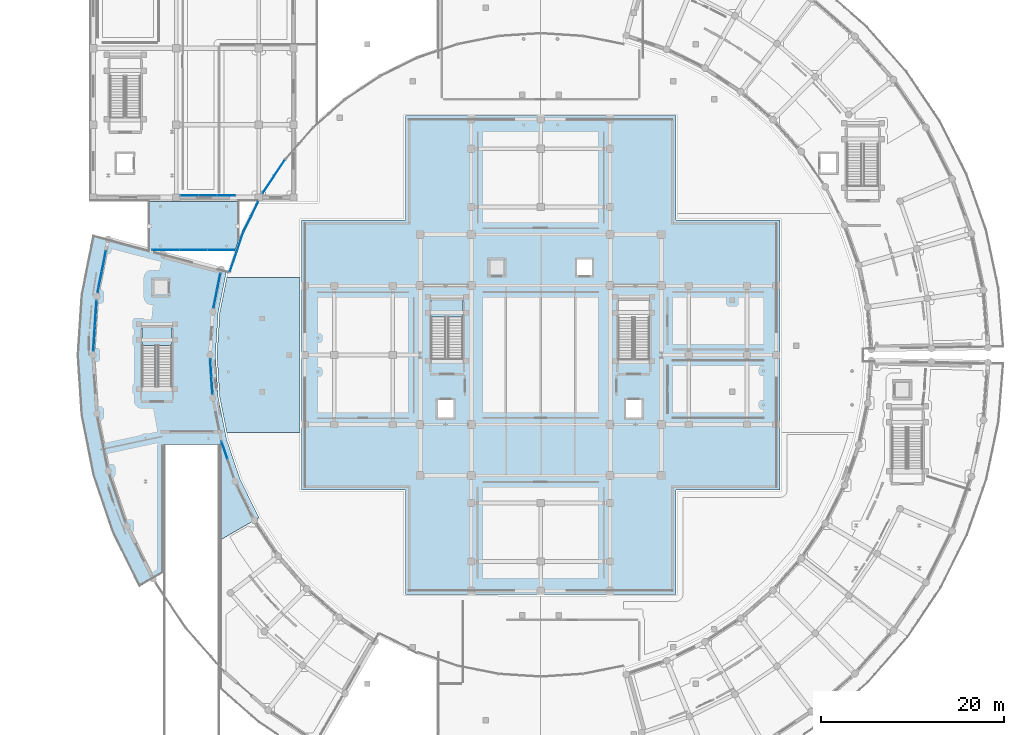
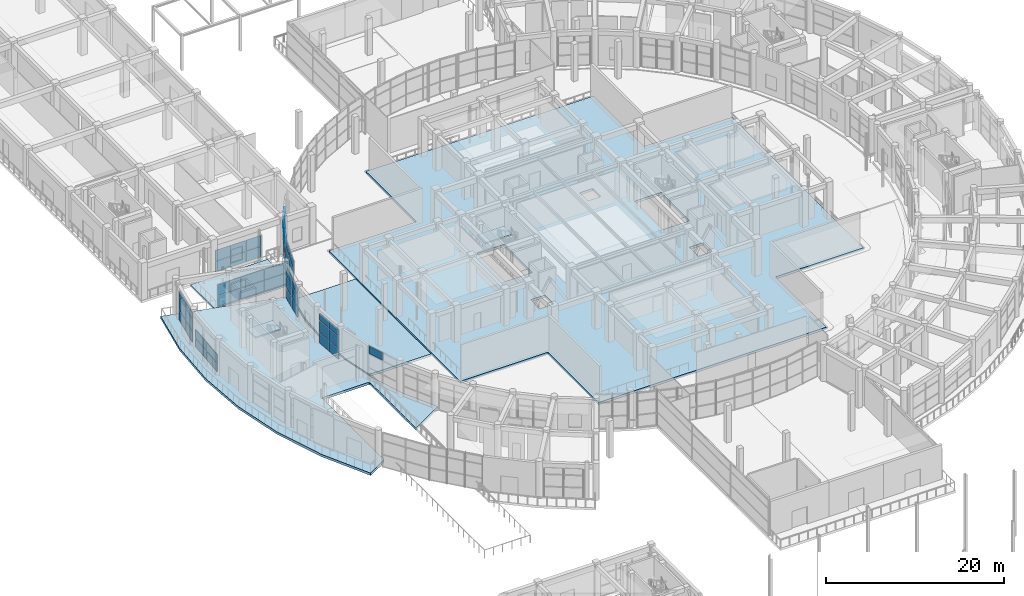
# One storey, part 58 of 99: 51 plates, 6 slabs, 12 elements without a shape of their own.
"""IFC4 building model written with IfcOpenShell, lengths in metres."""

from ifc_helpers import new_model, si_unit, direction, frame, origin, origin_2d, place, context, subcontext, project, spatial, polyline, rectangle, outline, extrude, material, layer, layer_set, type_object, element, aggregate, save


model = new_model("IFC4")

# Units and contexts
model_context = context("Model", 3, precision=1e-05, world=origin(), true_north=direction((0.0, 1.0)))
body_context = subcontext(model_context, "Body", "Model", "MODEL_VIEW")
ifc_project = project(units=[si_unit("LENGTHUNIT", "METRE"), si_unit("AREAUNIT", "SQUARE_METRE"), si_unit("VOLUMEUNIT", "CUBIC_METRE"), si_unit("PLANEANGLEUNIT", "RADIAN"), si_unit("MASSUNIT", "GRAM", prefix="KILO")], contexts=[model_context])

# Site, building, storey
site_placement = place(None, origin())
site = spatial("IfcSite", under=ifc_project, at=site_placement, CompositionType="ELEMENT")
building_placement = place(site_placement, origin())
building = spatial("IfcBuilding", under=site, at=building_placement, Name="Saryqyr Civic Hall", CompositionType="ELEMENT")
storey_placement = place(building_placement, origin())
storey = spatial("IfcBuildingStorey", under=building, at=storey_placement, Name="L00", CompositionType="ELEMENT", Elevation=0.0)

# Curtain wall, plates
ifc_material_1 = material(Name="Anodised aluminium and triple low-E glass", Category="aluminium")
curtain_wall_type_1 = type_object("IfcCurtainWallType", Name="ENV-CW-STD-01", PredefinedType="NOTDEFINED", material=ifc_material_1)
curtain_wall_1_placement = place(storey_placement, origin())
curtain_wall_1 = element("IfcCurtainWall", 1, at=curtain_wall_1_placement, inside=storey, type_object=curtain_wall_type_1, Name="Curtain wall V4-CWO-L00-00", PredefinedType="NOTDEFINED")
ifc_material_2 = material(Name="Triple low-E insulated glazing", Category="glass")
ifc_layer_1 = layer(ifc_material_2, 0.053955078125, Name="Triple low-E insulated glazing")
ifc_layer_set_1 = layer_set([ifc_layer_1], Name="Triple low-E insulated glazing")
plate_type = type_object("IfcPlateType", Name="ENV-CW-PNL-38", PredefinedType="CURTAIN_PANEL", material=ifc_layer_set_1)
plate_1_placement = place(storey_placement, frame((8.73388671875, 91.978515625, 0.06005859375), z_axis=(0.0, 0.0, 1.0), x_axis=(0.19510187671, 0.980782981961, 0.0)))
plate_1 = element("IfcPlate", 2, at=plate_1_placement, type_object=plate_type, Name="CW-01 panel 1.1", PredefinedType="CURTAIN_PANEL", context=body_context, shape_type="SweptSolid", body=[
    extrude(rectangle(XDim=2.26123046875, YDim=0.053955078125, at=origin_2d()), origin(), (0.0, 0.0, 1.0), 1.419921875),
])
plate_2_placement = place(storey_placement, frame((8.73388671875, 91.978515625, 1.5400390625), z_axis=(0.0, 0.0, 1.0), x_axis=(0.19510187671, 0.980782981961, 0.0)))
plate_2 = element("IfcPlate", 3, at=plate_2_placement, type_object=plate_type, Name="CW-01 panel 1.2", PredefinedType="CURTAIN_PANEL", context=body_context, shape_type="SweptSolid", body=[
    extrude(rectangle(XDim=2.26123046875, YDim=0.053955078125, at=origin_2d()), origin(), (0.0, 0.0, 1.0), 1.617919921875),
])
plate_3_placement = place(storey_placement, frame((8.73388671875, 91.978515625, 3.218017578125), z_axis=(0.0, 0.0, 1.0), x_axis=(0.19510187671, 0.980782981961, 0.0)))
plate_3 = element("IfcPlate", 4, at=plate_3_placement, type_object=plate_type, Name="CW-01 panel 1.3", PredefinedType="CURTAIN_PANEL", context=body_context, shape_type="SweptSolid", body=[
    extrude(rectangle(XDim=2.26123046875, YDim=0.053955078125, at=origin_2d()), origin(), (0.0, 0.0, 1.0), 0.9169921875),
])
plate_4_placement = place(storey_placement, frame((9.18701171875, 94.25537109375, 0.06005859375), z_axis=(0.0, 0.0, 1.0), x_axis=(0.19510187671, 0.980782981961, 0.0)))
plate_4 = element("IfcPlate", 5, at=plate_4_placement, type_object=plate_type, Name="CW-01 panel 2.1", PredefinedType="CURTAIN_PANEL", context=body_context, shape_type="SweptSolid", body=[
    extrude(rectangle(XDim=2.26123046875, YDim=0.053955078125, at=origin_2d()), origin(), (0.0, 0.0, 1.0), 1.419921875),
])
plate_5_placement = place(storey_placement, frame((9.18701171875, 94.25537109375, 1.5400390625), z_axis=(0.0, 0.0, 1.0), x_axis=(0.19510187671, 0.980782981961, 0.0)))
plate_5 = element("IfcPlate", 6, at=plate_5_placement, type_object=plate_type, Name="CW-01 panel 2.2", PredefinedType="CURTAIN_PANEL", context=body_context, shape_type="SweptSolid", body=[
    extrude(rectangle(XDim=2.26123046875, YDim=0.053955078125, at=origin_2d()), origin(), (0.0, 0.0, 1.0), 1.617919921875),
])
plate_6_placement = place(storey_placement, frame((9.18701171875, 94.25537109375, 3.218017578125), z_axis=(0.0, 0.0, 1.0), x_axis=(0.19510187671, 0.980782981961, 0.0)))
plate_6 = element("IfcPlate", 7, at=plate_6_placement, type_object=plate_type, Name="CW-01 panel 2.3", PredefinedType="CURTAIN_PANEL", context=body_context, shape_type="SweptSolid", body=[
    extrude(rectangle(XDim=2.26123046875, YDim=0.053955078125, at=origin_2d()), origin(), (0.0, 0.0, 1.0), 0.9169921875),
])
aggregate(curtain_wall_1, [plate_1, plate_2, plate_3, plate_4, plate_5, plate_6])

curtain_wall_type_2 = type_object("IfcCurtainWallType", Name="ENV-CW-STD-02", PredefinedType="NOTDEFINED", material=ifc_material_1)
curtain_wall_2_placement = place(storey_placement, origin())
curtain_wall_2 = element("IfcCurtainWall", 8, at=curtain_wall_2_placement, inside=storey, type_object=curtain_wall_type_2, Name="Curtain wall V4-CWI-L00-00", PredefinedType="NOTDEFINED")
plate_7_placement = place(storey_placement, frame((21.75830078125, 91.98583984375, 0.06005859375), z_axis=(0.0, 0.0, 1.0), x_axis=(-0.19511714689, -0.980779944223, 0.0)))
plate_7 = element("IfcPlate", 9, at=plate_7_placement, type_object=plate_type, Name="CW-02 panel 1.1", PredefinedType="CURTAIN_PANEL", context=body_context, shape_type="SweptSolid", body=[
    extrude(rectangle(XDim=1.8544921875, YDim=0.053955078125, at=origin_2d()), origin(), (0.0, 0.0, 1.0), 1.419921875),
])
plate_8_placement = place(storey_placement, frame((21.75830078125, 91.98583984375, 1.5400390625), z_axis=(0.0, 0.0, 1.0), x_axis=(-0.19511714689, -0.980779944223, 0.0)))
plate_8 = element("IfcPlate", 10, at=plate_8_placement, type_object=plate_type, Name="CW-02 panel 1.2", PredefinedType="CURTAIN_PANEL", context=body_context, shape_type="SweptSolid", body=[
    extrude(rectangle(XDim=1.8544921875, YDim=0.053955078125, at=origin_2d()), origin(), (0.0, 0.0, 1.0), 1.617919921875),
])
plate_9_placement = place(storey_placement, frame((21.75830078125, 91.98583984375, 3.218017578125), z_axis=(0.0, 0.0, 1.0), x_axis=(-0.19511714689, -0.980779944223, 0.0)))
plate_9 = element("IfcPlate", 11, at=plate_9_placement, type_object=plate_type, Name="CW-02 panel 1.3", PredefinedType="CURTAIN_PANEL", context=body_context, shape_type="SweptSolid", body=[
    extrude(rectangle(XDim=1.8544921875, YDim=0.053955078125, at=origin_2d()), origin(), (0.0, 0.0, 1.0), 0.9169921875),
])
plate_10_placement = place(storey_placement, frame((21.384765625, 90.108154296875, 0.06005859375), z_axis=(0.0, 0.0, 1.0), x_axis=(-0.19511714689, -0.980779944223, 0.0)))
plate_10 = element("IfcPlate", 12, at=plate_10_placement, type_object=plate_type, Name="CW-02 panel 2.1", PredefinedType="CURTAIN_PANEL", context=body_context, shape_type="SweptSolid", body=[
    extrude(rectangle(XDim=1.8544921875, YDim=0.053955078125, at=origin_2d()), origin(), (0.0, 0.0, 1.0), 1.419921875),
])
plate_11_placement = place(storey_placement, frame((21.384765625, 90.108154296875, 1.5400390625), z_axis=(0.0, 0.0, 1.0), x_axis=(-0.19511714689, -0.980779944223, 0.0)))
plate_11 = element("IfcPlate", 13, at=plate_11_placement, type_object=plate_type, Name="CW-02 panel 2.2", PredefinedType="CURTAIN_PANEL", context=body_context, shape_type="SweptSolid", body=[
    extrude(rectangle(XDim=1.8544921875, YDim=0.053955078125, at=origin_2d()), origin(), (0.0, 0.0, 1.0), 1.617919921875),
])
plate_12_placement = place(storey_placement, frame((21.384765625, 90.108154296875, 3.218017578125), z_axis=(0.0, 0.0, 1.0), x_axis=(-0.19511714689, -0.980779944223, 0.0)))
plate_12 = element("IfcPlate", 14, at=plate_12_placement, type_object=plate_type, Name="CW-02 panel 2.3", PredefinedType="CURTAIN_PANEL", context=body_context, shape_type="SweptSolid", body=[
    extrude(rectangle(XDim=1.8544921875, YDim=0.053955078125, at=origin_2d()), origin(), (0.0, 0.0, 1.0), 0.9169921875),
])
aggregate(curtain_wall_2, [plate_7, plate_8, plate_9, plate_10, plate_11, plate_12])

curtain_wall_type_3 = type_object("IfcCurtainWallType", Name="ENV-CW-STD-03", PredefinedType="NOTDEFINED", material=ifc_material_1)
curtain_wall_3_placement = place(storey_placement, origin())
curtain_wall_3 = element("IfcCurtainWall", 15, at=curtain_wall_3_placement, inside=storey, type_object=curtain_wall_type_3, Name="Curtain wall V4-CWO-L00-01", PredefinedType="NOTDEFINED")
plate_13_placement = place(storey_placement, frame((8.119384765625, 85.821533203125, 0.06005859375), z_axis=(0.0, 0.0, 1.0), x_axis=(0.065402806948, 0.997858944362, 0.0)))
plate_13 = element("IfcPlate", 16, at=plate_13_placement, type_object=plate_type, Name="CW-03 panel 1.1", PredefinedType="CURTAIN_PANEL", context=body_context, shape_type="SweptSolid", body=[
    extrude(rectangle(XDim=2.698974609375, YDim=0.053955078125, at=origin_2d()), origin(), (0.0, 0.0, 1.0), 1.135009765625),
])
plate_14_placement = place(storey_placement, frame((8.119384765625, 85.821533203125, 1.2548828125), z_axis=(0.0, 0.0, 1.0), x_axis=(0.065402806948, 0.997858944362, 0.0)))
plate_14 = element("IfcPlate", 17, at=plate_14_placement, type_object=plate_type, Name="CW-03 panel 1.2", PredefinedType="CURTAIN_PANEL", context=body_context, shape_type="SweptSolid", body=[
    extrude(rectangle(XDim=2.698974609375, YDim=0.053955078125, at=origin_2d()), origin(), (0.0, 0.0, 1.0), 1.135009765625),
])
plate_15_placement = place(storey_placement, frame((8.2998046875, 88.574462890625, 0.06005859375), z_axis=(0.0, 0.0, 1.0), x_axis=(0.065402806948, 0.997858944362, 0.0)))
plate_15 = element("IfcPlate", 18, at=plate_15_placement, type_object=plate_type, Name="CW-03 panel 2.1", PredefinedType="CURTAIN_PANEL", context=body_context, shape_type="SweptSolid", body=[
    extrude(rectangle(XDim=2.698974609375, YDim=0.053955078125, at=origin_2d()), origin(), (0.0, 0.0, 1.0), 1.135009765625),
])
plate_16_placement = place(storey_placement, frame((8.2998046875, 88.574462890625, 1.2548828125), z_axis=(0.0, 0.0, 1.0), x_axis=(0.065402806948, 0.997858944362, 0.0)))
plate_16 = element("IfcPlate", 19, at=plate_16_placement, type_object=plate_type, Name="CW-03 panel 2.2", PredefinedType="CURTAIN_PANEL", context=body_context, shape_type="SweptSolid", body=[
    extrude(rectangle(XDim=2.698974609375, YDim=0.053955078125, at=origin_2d()), origin(), (0.0, 0.0, 1.0), 1.135009765625),
])
aggregate(curtain_wall_3, [plate_13, plate_14, plate_15, plate_16])

curtain_wall_4_placement = place(storey_placement, origin())
curtain_wall_4 = element("IfcCurtainWall", 20, at=curtain_wall_4_placement, inside=storey, type_object=curtain_wall_type_2, Name="Curtain wall V4-CWI-L00-02", PredefinedType="NOTDEFINED")
plate_17_placement = place(storey_placement, frame((20.89208984375, 82.59619140625, 0.06005859375), z_axis=(0.0, 0.0, 1.0), x_axis=(0.065405224139, -0.997858785929, 0.0)))
plate_17 = element("IfcPlate", 21, at=plate_17_placement, type_object=plate_type, Name="CW-02 panel 1.1", PredefinedType="CURTAIN_PANEL", context=body_context, shape_type="SweptSolid", body=[
    extrude(rectangle(XDim=1.861572265625, YDim=0.053955078125, at=origin_2d()), origin(), (0.0, 0.0, 1.0), 1.419921875),
])
plate_18_placement = place(storey_placement, frame((20.89208984375, 82.59619140625, 1.5400390625), z_axis=(0.0, 0.0, 1.0), x_axis=(0.065405224139, -0.997858785929, 0.0)))
plate_18 = element("IfcPlate", 22, at=plate_18_placement, type_object=plate_type, Name="CW-02 panel 1.2", PredefinedType="CURTAIN_PANEL", context=body_context, shape_type="SweptSolid", body=[
    extrude(rectangle(XDim=1.861572265625, YDim=0.053955078125, at=origin_2d()), origin(), (0.0, 0.0, 1.0), 1.617919921875),
])
plate_19_placement = place(storey_placement, frame((20.89208984375, 82.59619140625, 3.218017578125), z_axis=(0.0, 0.0, 1.0), x_axis=(0.065405224139, -0.997858785929, 0.0)))
plate_19 = element("IfcPlate", 23, at=plate_19_placement, type_object=plate_type, Name="CW-02 panel 1.3", PredefinedType="CURTAIN_PANEL", context=body_context, shape_type="SweptSolid", body=[
    extrude(rectangle(XDim=1.861572265625, YDim=0.053955078125, at=origin_2d()), origin(), (0.0, 0.0, 1.0), 0.9169921875),
])
plate_20_placement = place(storey_placement, frame((21.017578125, 80.6787109375, 0.06005859375), z_axis=(0.0, 0.0, 1.0), x_axis=(0.065405224139, -0.997858785929, 0.0)))
plate_20 = element("IfcPlate", 24, at=plate_20_placement, type_object=plate_type, Name="CW-02 panel 2.1", PredefinedType="CURTAIN_PANEL", context=body_context, shape_type="SweptSolid", body=[
    extrude(rectangle(XDim=1.861572265625, YDim=0.053955078125, at=origin_2d()), origin(), (0.0, 0.0, 1.0), 1.419921875),
])
plate_21_placement = place(storey_placement, frame((21.017578125, 80.6787109375, 1.5400390625), z_axis=(0.0, 0.0, 1.0), x_axis=(0.065405224139, -0.997858785929, 0.0)))
plate_21 = element("IfcPlate", 25, at=plate_21_placement, type_object=plate_type, Name="CW-02 panel 2.2", PredefinedType="CURTAIN_PANEL", context=body_context, shape_type="SweptSolid", body=[
    extrude(rectangle(XDim=1.861572265625, YDim=0.053955078125, at=origin_2d()), origin(), (0.0, 0.0, 1.0), 1.617919921875),
])
plate_22_placement = place(storey_placement, frame((21.017578125, 80.6787109375, 3.218017578125), z_axis=(0.0, 0.0, 1.0), x_axis=(0.065405224139, -0.997858785929, 0.0)))
plate_22 = element("IfcPlate", 26, at=plate_22_placement, type_object=plate_type, Name="CW-02 panel 2.3", PredefinedType="CURTAIN_PANEL", context=body_context, shape_type="SweptSolid", body=[
    extrude(rectangle(XDim=1.861572265625, YDim=0.053955078125, at=origin_2d()), origin(), (0.0, 0.0, 1.0), 0.9169921875),
])
aggregate(curtain_wall_4, [plate_17, plate_18, plate_19, plate_20, plate_21, plate_22])

# Curtain wall, plate
curtain_wall_type_4 = type_object("IfcCurtainWallType", Name="ENV-CW-STD-06", PredefinedType="NOTDEFINED", material=ifc_material_1)
curtain_wall_5_placement = place(storey_placement, origin())
curtain_wall_5 = element("IfcCurtainWall", 27, at=curtain_wall_5_placement, inside=storey, type_object=curtain_wall_type_4, Name="Curtain wall V4-CWI-L00-04", PredefinedType="NOTDEFINED")
plate_23_placement = place(storey_placement, frame((22.383544921875, 73.599365234375, 3.64013671875), z_axis=(0.0, 0.0, 1.0), x_axis=(0.321438331366, -0.946930514414, 0.0)))
plate_23 = element("IfcPlate", 28, at=plate_23_placement, type_object=plate_type, Name="CW-06 panel 1.3", PredefinedType="CURTAIN_PANEL", context=body_context, shape_type="SweptSolid", body=[
    extrude(rectangle(XDim=2.058349609375, YDim=0.053955078125, at=origin_2d()), origin(), (0.0, 0.0, 1.0), 1.050048828125),
])
aggregate(curtain_wall_5, [plate_23])

# Curtain wall, plates
curtain_wall_type_5 = type_object("IfcCurtainWallType", Name="ENV-CW-STD-12", PredefinedType="NOTDEFINED", material=ifc_material_1)
curtain_wall_6_placement = place(storey_placement, origin())
curtain_wall_6 = element("IfcCurtainWall", 29, at=curtain_wall_6_placement, inside=storey, type_object=curtain_wall_type_5, Name="Curtain wall V2-PERIM-CW-L00-19", PredefinedType="NOTDEFINED")
plate_24_placement = place(storey_placement, frame((27.18701171875, 102.64013671875, 0.06005859375), z_axis=(0.0, 0.0, 1.0), x_axis=(0.55555938193, 0.831476862666, 0.0)))
plate_24 = element("IfcPlate", 30, at=plate_24_placement, type_object=plate_type, Name="CW-12 panel 1.1", PredefinedType="CURTAIN_PANEL", context=body_context, shape_type="SweptSolid", body=[
    extrude(rectangle(XDim=2.165283203125, YDim=0.053955078125, at=origin_2d()), origin(), (0.0, 0.0, 1.0), 1.419921875),
])
plate_25_placement = place(storey_placement, frame((27.18701171875, 102.64013671875, 1.5400390625), z_axis=(0.0, 0.0, 1.0), x_axis=(0.55555938193, 0.831476862666, 0.0)))
plate_25 = element("IfcPlate", 31, at=plate_25_placement, type_object=plate_type, Name="CW-12 panel 1.2", PredefinedType="CURTAIN_PANEL", context=body_context, shape_type="SweptSolid", body=[
    extrude(rectangle(XDim=2.165283203125, YDim=0.053955078125, at=origin_2d()), origin(), (0.0, 0.0, 1.0), 1.617919921875),
])
plate_26_placement = place(storey_placement, frame((27.18701171875, 102.64013671875, 3.218017578125), z_axis=(0.0, 0.0, 1.0), x_axis=(0.55555938193, 0.831476862666, 0.0)))
plate_26 = element("IfcPlate", 32, at=plate_26_placement, type_object=plate_type, Name="CW-12 panel 1.3", PredefinedType="CURTAIN_PANEL", context=body_context, shape_type="SweptSolid", body=[
    extrude(rectangle(XDim=2.165283203125, YDim=0.053955078125, at=origin_2d()), origin(), (0.0, 0.0, 1.0), 0.9169921875),
])
plate_27_placement = place(storey_placement, frame((28.42333984375, 104.490478515625, 0.06005859375), z_axis=(0.0, 0.0, 1.0), x_axis=(0.55555938193, 0.831476862666, 0.0)))
plate_27 = element("IfcPlate", 33, at=plate_27_placement, type_object=plate_type, Name="CW-12 panel 2.1", PredefinedType="CURTAIN_PANEL", context=body_context, shape_type="SweptSolid", body=[
    extrude(rectangle(XDim=2.165283203125, YDim=0.053955078125, at=origin_2d()), origin(), (0.0, 0.0, 1.0), 1.419921875),
])
aggregate(curtain_wall_6, [plate_24, plate_25, plate_26, plate_27])

curtain_wall_type_6 = type_object("IfcCurtainWallType", Name="ENV-CW-STD-43", PredefinedType="NOTDEFINED", material=ifc_material_1)
curtain_wall_7_placement = place(storey_placement, origin())
curtain_wall_7 = element("IfcCurtainWall", 34, at=curtain_wall_7_placement, inside=storey, type_object=curtain_wall_type_6, Name="Curtain wall V2-PERIM-CW-L00-20", PredefinedType="NOTDEFINED")
plate_28_placement = place(storey_placement, frame((24.87841796875, 98.324462890625, 0.06005859375), z_axis=(0.0, 0.0, 1.0), x_axis=(0.442286255428, 0.896873942235, 0.0)))
plate_28 = element("IfcPlate", 35, at=plate_28_placement, type_object=plate_type, Name="CW-43 panel 1.1", PredefinedType="CURTAIN_PANEL", context=body_context, shape_type="SweptSolid", body=[
    extrude(rectangle(XDim=1.767578125, YDim=0.053955078125, at=origin_2d()), origin(), (0.0, 0.0, 1.0), 1.6201171875),
])
plate_29_placement = place(storey_placement, frame((24.87841796875, 98.324462890625, 1.73974609375), z_axis=(0.0, 0.0, 1.0), x_axis=(0.442286255428, 0.896873942235, 0.0)))
plate_29 = element("IfcPlate", 36, at=plate_29_placement, type_object=plate_type, Name="CW-43 panel 1.2", PredefinedType="CURTAIN_PANEL", context=body_context, shape_type="SweptSolid", body=[
    extrude(rectangle(XDim=1.767578125, YDim=0.053955078125, at=origin_2d()), origin(), (0.0, 0.0, 1.0), 1.840087890625),
])
plate_30_placement = place(storey_placement, frame((24.87841796875, 98.324462890625, 3.64013671875), z_axis=(0.0, 0.0, 1.0), x_axis=(0.442286255428, 0.896873942235, 0.0)))
plate_30 = element("IfcPlate", 37, at=plate_30_placement, type_object=plate_type, Name="CW-43 panel 1.3", PredefinedType="CURTAIN_PANEL", context=body_context, shape_type="SweptSolid", body=[
    extrude(rectangle(XDim=1.767578125, YDim=0.053955078125, at=origin_2d()), origin(), (0.0, 0.0, 1.0), 1.050048828125),
])
plate_31_placement = place(storey_placement, frame((25.686767578125, 99.963623046875, 0.06005859375), z_axis=(0.0, 0.0, 1.0), x_axis=(0.442286255428, 0.896873942235, 0.0)))
plate_31 = element("IfcPlate", 38, at=plate_31_placement, type_object=plate_type, Name="CW-43 panel 2.1", PredefinedType="CURTAIN_PANEL", context=body_context, shape_type="SweptSolid", body=[
    extrude(rectangle(XDim=1.767578125, YDim=0.053955078125, at=origin_2d()), origin(), (0.0, 0.0, 1.0), 1.6201171875),
])
plate_32_placement = place(storey_placement, frame((25.686767578125, 99.963623046875, 1.73974609375), z_axis=(0.0, 0.0, 1.0), x_axis=(0.442286255428, 0.896873942235, 0.0)))
plate_32 = element("IfcPlate", 39, at=plate_32_placement, type_object=plate_type, Name="CW-43 panel 2.2", PredefinedType="CURTAIN_PANEL", context=body_context, shape_type="SweptSolid", body=[
    extrude(rectangle(XDim=1.767578125, YDim=0.053955078125, at=origin_2d()), origin(), (0.0, 0.0, 1.0), 1.840087890625),
])
plate_33_placement = place(storey_placement, frame((25.686767578125, 99.963623046875, 3.64013671875), z_axis=(0.0, 0.0, 1.0), x_axis=(0.442286255428, 0.896873942235, 0.0)))
plate_33 = element("IfcPlate", 40, at=plate_33_placement, type_object=plate_type, Name="CW-43 panel 2.3", PredefinedType="CURTAIN_PANEL", context=body_context, shape_type="SweptSolid", body=[
    extrude(rectangle(XDim=1.767578125, YDim=0.053955078125, at=origin_2d()), origin(), (0.0, 0.0, 1.0), 1.050048828125),
])
aggregate(curtain_wall_7, [plate_28, plate_29, plate_30, plate_31, plate_32, plate_33])

curtain_wall_type_7 = type_object("IfcCurtainWallType", Name="ENV-CW-STD-67", PredefinedType="NOTDEFINED", material=ifc_material_1)
curtain_wall_8_placement = place(storey_placement, origin())
curtain_wall_8 = element("IfcCurtainWall", 41, at=curtain_wall_8_placement, inside=storey, type_object=curtain_wall_type_7, Name="Curtain wall V2-PERIM-CW-L00-21", PredefinedType="NOTDEFINED")
plate_34_placement = place(storey_placement, frame((23.355224609375, 94.220458984375, 0.06005859375), z_axis=(0.0, 0.0, 1.0), x_axis=(0.321445459178, 0.946928094828, 0.0)))
plate_34 = element("IfcPlate", 42, at=plate_34_placement, type_object=plate_type, Name="CW-67 panel 1.1", PredefinedType="CURTAIN_PANEL", context=body_context, shape_type="SweptSolid", body=[
    extrude(rectangle(XDim=2.213623046875, YDim=0.053955078125, at=origin_2d()), origin(), (0.0, 0.0, 1.0), 1.6201171875),
])
plate_35_placement = place(storey_placement, frame((23.355224609375, 94.220458984375, 1.73974609375), z_axis=(0.0, 0.0, 1.0), x_axis=(0.321445459178, 0.946928094828, 0.0)))
plate_35 = element("IfcPlate", 43, at=plate_35_placement, type_object=plate_type, Name="CW-67 panel 1.2", PredefinedType="CURTAIN_PANEL", context=body_context, shape_type="SweptSolid", body=[
    extrude(rectangle(XDim=2.213623046875, YDim=0.053955078125, at=origin_2d()), origin(), (0.0, 0.0, 1.0), 1.840087890625),
])
plate_36_placement = place(storey_placement, frame((23.355224609375, 94.220458984375, 3.64013671875), z_axis=(0.0, 0.0, 1.0), x_axis=(0.321445459178, 0.946928094828, 0.0)))
plate_36 = element("IfcPlate", 44, at=plate_36_placement, type_object=plate_type, Name="CW-67 panel 1.3", PredefinedType="CURTAIN_PANEL", context=body_context, shape_type="SweptSolid", body=[
    extrude(rectangle(XDim=2.213623046875, YDim=0.053955078125, at=origin_2d()), origin(), (0.0, 0.0, 1.0), 1.050048828125),
])
plate_37_placement = place(storey_placement, frame((24.0859375, 96.373291015625, 0.06005859375), z_axis=(0.0, 0.0, 1.0), x_axis=(0.321445459178, 0.946928094828, 0.0)))
plate_37 = element("IfcPlate", 45, at=plate_37_placement, type_object=plate_type, Name="CW-67 panel 2.1", PredefinedType="CURTAIN_PANEL", context=body_context, shape_type="SweptSolid", body=[
    extrude(rectangle(XDim=2.213623046875, YDim=0.053955078125, at=origin_2d()), origin(), (0.0, 0.0, 1.0), 1.6201171875),
])
plate_38_placement = place(storey_placement, frame((24.0859375, 96.373291015625, 1.73974609375), z_axis=(0.0, 0.0, 1.0), x_axis=(0.321445459178, 0.946928094828, 0.0)))
plate_38 = element("IfcPlate", 46, at=plate_38_placement, type_object=plate_type, Name="CW-67 panel 2.2", PredefinedType="CURTAIN_PANEL", context=body_context, shape_type="SweptSolid", body=[
    extrude(rectangle(XDim=2.213623046875, YDim=0.053955078125, at=origin_2d()), origin(), (0.0, 0.0, 1.0), 1.840087890625),
])
plate_39_placement = place(storey_placement, frame((24.0859375, 96.373291015625, 3.64013671875), z_axis=(0.0, 0.0, 1.0), x_axis=(0.321445459178, 0.946928094828, 0.0)))
plate_39 = element("IfcPlate", 47, at=plate_39_placement, type_object=plate_type, Name="CW-67 panel 2.3", PredefinedType="CURTAIN_PANEL", context=body_context, shape_type="SweptSolid", body=[
    extrude(rectangle(XDim=2.213623046875, YDim=0.053955078125, at=origin_2d()), origin(), (0.0, 0.0, 1.0), 1.050048828125),
])
aggregate(curtain_wall_8, [plate_34, plate_35, plate_36, plate_37, plate_38, plate_39])

curtain_wall_type_8 = type_object("IfcCurtainWallType", Name="ENV-CW-STD-82", PredefinedType="NOTDEFINED", material=ifc_material_1)
curtain_wall_9_placement = place(storey_placement, origin())
curtain_wall_9 = element("IfcCurtainWall", 48, at=curtain_wall_9_placement, inside=storey, type_object=curtain_wall_type_8, Name="Curtain wall BR-NW-CW1-L00", PredefinedType="NOTDEFINED")
plate_40_placement = place(storey_placement, frame((22.0517578125, 95.52001953125, 0.06005859375), z_axis=(0.0, 0.0, 1.0), x_axis=(-1.0, 0.0, 0.0)))
plate_40 = element("IfcPlate", 49, at=plate_40_placement, type_object=plate_type, Name="CW-82 panel 1.1", PredefinedType="CURTAIN_PANEL", context=body_context, shape_type="SweptSolid", body=[
    extrude(rectangle(XDim=2.9765625, YDim=0.053955078125, at=origin_2d()), origin(), (0.0, 0.0, 1.0), 1.4599609375),
])
plate_41_placement = place(storey_placement, frame((22.0517578125, 95.52001953125, 1.580078125), z_axis=(0.0, 0.0, 1.0), x_axis=(-1.0, 0.0, 0.0)))
plate_41 = element("IfcPlate", 50, at=plate_41_placement, type_object=plate_type, Name="CW-82 panel 1.2", PredefinedType="CURTAIN_PANEL", context=body_context, shape_type="SweptSolid", body=[
    extrude(rectangle(XDim=2.9765625, YDim=0.053955078125, at=origin_2d()), origin(), (0.0, 0.0, 1.0), 1.4599609375),
])
plate_42_placement = place(storey_placement, frame((19.0, 95.52001953125, 0.06005859375), z_axis=(0.0, 0.0, 1.0), x_axis=(-1.0, 0.0, 0.0)))
plate_42 = element("IfcPlate", 51, at=plate_42_placement, type_object=plate_type, Name="CW-82 panel 2.1", PredefinedType="CURTAIN_PANEL", context=body_context, shape_type="SweptSolid", body=[
    extrude(rectangle(XDim=3.006591796875, YDim=0.053955078125, at=origin_2d()), origin(), (0.0, 0.0, 1.0), 1.4599609375),
])
plate_43_placement = place(storey_placement, frame((19.0, 95.52001953125, 1.580078125), z_axis=(0.0, 0.0, 1.0), x_axis=(-1.0, 0.0, 0.0)))
plate_43 = element("IfcPlate", 52, at=plate_43_placement, type_object=plate_type, Name="CW-82 panel 2.2", PredefinedType="CURTAIN_PANEL", context=body_context, shape_type="SweptSolid", body=[
    extrude(rectangle(XDim=3.006591796875, YDim=0.053955078125, at=origin_2d()), origin(), (0.0, 0.0, 1.0), 1.4599609375),
])
plate_44_placement = place(storey_placement, frame((15.9482421875, 95.52001953125, 0.06005859375), z_axis=(0.0, 0.0, 1.0), x_axis=(-1.0, 0.0, 0.0)))
plate_44 = element("IfcPlate", 53, at=plate_44_placement, type_object=plate_type, Name="CW-82 panel 3.1", PredefinedType="CURTAIN_PANEL", context=body_context, shape_type="SweptSolid", body=[
    extrude(rectangle(XDim=2.9765625, YDim=0.053955078125, at=origin_2d()), origin(), (0.0, 0.0, 1.0), 1.4599609375),
])
plate_45_placement = place(storey_placement, frame((15.9482421875, 95.52001953125, 1.580078125), z_axis=(0.0, 0.0, 1.0), x_axis=(-1.0, 0.0, 0.0)))
plate_45 = element("IfcPlate", 54, at=plate_45_placement, type_object=plate_type, Name="CW-82 panel 3.2", PredefinedType="CURTAIN_PANEL", context=body_context, shape_type="SweptSolid", body=[
    extrude(rectangle(XDim=2.9765625, YDim=0.053955078125, at=origin_2d()), origin(), (0.0, 0.0, 1.0), 1.4599609375),
])
aggregate(curtain_wall_9, [plate_40, plate_41, plate_42, plate_43, plate_44, plate_45])

curtain_wall_type_9 = type_object("IfcCurtainWallType", Name="ENV-CW-STD-83", PredefinedType="NOTDEFINED", material=ifc_material_1)
curtain_wall_10_placement = place(storey_placement, origin())
curtain_wall_10 = element("IfcCurtainWall", 55, at=curtain_wall_10_placement, inside=storey, type_object=curtain_wall_type_9, Name="Curtain wall BR-NW-CW2-L00", PredefinedType="NOTDEFINED")
plate_46_placement = place(storey_placement, frame((18.56494140625, 101.47998046875, 0.06005859375), z_axis=(0.0, 0.0, 1.0), x_axis=(1.0, 0.0, 0.0)))
plate_46 = element("IfcPlate", 56, at=plate_46_placement, type_object=plate_type, Name="CW-83 panel 1.1", PredefinedType="CURTAIN_PANEL", context=body_context, shape_type="SweptSolid", body=[
    extrude(rectangle(XDim=1.929931640625, YDim=0.053955078125, at=origin_2d()), origin(), (0.0, 0.0, 1.0), 1.4599609375),
])
plate_47_placement = place(storey_placement, frame((18.56494140625, 101.47998046875, 1.580078125), z_axis=(0.0, 0.0, 1.0), x_axis=(1.0, 0.0, 0.0)))
plate_47 = element("IfcPlate", 57, at=plate_47_placement, type_object=plate_type, Name="CW-83 panel 1.2", PredefinedType="CURTAIN_PANEL", context=body_context, shape_type="SweptSolid", body=[
    extrude(rectangle(XDim=1.929931640625, YDim=0.053955078125, at=origin_2d()), origin(), (0.0, 0.0, 1.0), 1.4599609375),
])
plate_48_placement = place(storey_placement, frame((20.570068359375, 101.47998046875, 0.06005859375), z_axis=(0.0, 0.0, 1.0), x_axis=(1.0, 0.0, 0.0)))
plate_48 = element("IfcPlate", 58, at=plate_48_placement, type_object=plate_type, Name="CW-83 panel 2.1", PredefinedType="CURTAIN_PANEL", context=body_context, shape_type="SweptSolid", body=[
    extrude(rectangle(XDim=1.9599609375, YDim=0.053955078125, at=origin_2d()), origin(), (0.0, 0.0, 1.0), 1.4599609375),
])
plate_49_placement = place(storey_placement, frame((20.570068359375, 101.47998046875, 1.580078125), z_axis=(0.0, 0.0, 1.0), x_axis=(1.0, 0.0, 0.0)))
plate_49 = element("IfcPlate", 59, at=plate_49_placement, type_object=plate_type, Name="CW-83 panel 2.2", PredefinedType="CURTAIN_PANEL", context=body_context, shape_type="SweptSolid", body=[
    extrude(rectangle(XDim=1.9599609375, YDim=0.053955078125, at=origin_2d()), origin(), (0.0, 0.0, 1.0), 1.4599609375),
])
plate_50_placement = place(storey_placement, frame((22.574951171875, 101.47998046875, 0.06005859375), z_axis=(0.0, 0.0, 1.0), x_axis=(1.0, 0.0, 0.0)))
plate_50 = element("IfcPlate", 60, at=plate_50_placement, type_object=plate_type, Name="CW-83 panel 3.1", PredefinedType="CURTAIN_PANEL", context=body_context, shape_type="SweptSolid", body=[
    extrude(rectangle(XDim=1.929931640625, YDim=0.053955078125, at=origin_2d()), origin(), (0.0, 0.0, 1.0), 1.4599609375),
])
plate_51_placement = place(storey_placement, frame((22.574951171875, 101.47998046875, 1.580078125), z_axis=(0.0, 0.0, 1.0), x_axis=(1.0, 0.0, 0.0)))
plate_51 = element("IfcPlate", 61, at=plate_51_placement, type_object=plate_type, Name="CW-83 panel 3.2", PredefinedType="CURTAIN_PANEL", context=body_context, shape_type="SweptSolid", body=[
    extrude(rectangle(XDim=1.929931640625, YDim=0.053955078125, at=origin_2d()), origin(), (0.0, 0.0, 1.0), 1.4599609375),
])
aggregate(curtain_wall_10, [plate_46, plate_47, plate_48, plate_49, plate_50, plate_51])

# Slabs
ifc_material_3 = material(Name="Concrete C35/45", Category="concrete")
ifc_layer_2 = layer(ifc_material_3, 0.22998046875, Name="Concrete C35/45")
ifc_layer_set_2 = layer_set([ifc_layer_2], Name="Concrete C35/45")
slab_type_1 = type_object("IfcSlabType", Name="STR-SLB-FLR-230", PredefinedType="FLOOR", material=ifc_layer_set_2)
slab_1_placement = place(storey_placement, frame((0.0, 0.0, -0.22998046875)))
element("IfcSlab", 62, at=slab_1_placement, inside=storey, type_object=slab_type_1, Name="Slab SLB-BR-NW-L00", PredefinedType="FLOOR", context=body_context, shape_type="SweptSolid", body=[
    extrude(outline(polyline([(24.0, 96.802978515625), (23.523681640625, 95.39990234375), (14.454833984375, 95.39990234375), (14.0, 95.52197265625), (14.0, 100.800048828125), (24.0, 100.800048828125), (24.0, 96.802978515625)])), origin(), (0.0, 0.0, 1.0), 0.22998046875),
])
ifc_material_4 = material(Name="Concrete C40/50", Category="concrete")
ifc_layer_3 = layer(ifc_material_4, 0.320068359375, Name="Concrete C40/50")
ifc_layer_set_3 = layer_set([ifc_layer_3], Name="Concrete C40/50")
slab_type_2 = type_object("IfcSlabType", Name="STR-SLB-FLR-320", PredefinedType="FLOOR", material=ifc_layer_set_3)
slab_2_placement = place(storey_placement, frame((0.0, 0.0, -0.320068359375)))
element("IfcSlab", 63, at=slab_2_placement, inside=storey, type_object=slab_type_2, Name="Slab SLB-V1-L00", PredefinedType="FLOOR", context=body_context, shape_type="SweptSolid", body=[
    extrude(outline(polyline([(30.800048828125, 69.199951171875), (30.800048828125, 98.800048828125), (42.199951171875, 98.800048828125), (42.199951171875, 110.199951171875), (71.800048828125, 110.199951171875), (71.800048828125, 98.800048828125), (83.199951171875, 98.800048828125), (83.199951171875, 69.199951171875), (71.800048828125, 69.199951171875), (71.800048828125, 57.800048828125), (42.199951171875, 57.800048828125), (42.199951171875, 69.199951171875), (30.800048828125, 69.199951171875)]), holes=[polyline([(47.5, 79.10009765625), (45.699951171875, 79.10009765625), (45.699951171875, 77.10009765625), (47.5, 77.10009765625), (47.5, 79.10009765625)]), polyline([(68.10009765625, 79.10009765625), (66.300048828125, 79.10009765625), (66.300048828125, 77.10009765625), (68.10009765625, 77.10009765625), (68.10009765625, 79.10009765625)]), polyline([(68.89990234375, 90.0), (65.5, 90.0), (65.5, 83.60009765625), (68.89990234375, 83.60009765625), (68.89990234375, 90.0)]), polyline([(48.5, 90.0), (45.0, 90.0), (45.0, 83.64990234375), (48.5, 83.64990234375), (48.5, 90.0)]), polyline([(62.64990234375, 94.5), (60.949951171875, 94.5), (60.949951171875, 92.699951171875), (62.64990234375, 92.699951171875), (62.64990234375, 94.5)])]), origin(), (0.0, 0.0, 1.0), 0.320068359375),
])
slab_3_placement = place(storey_placement, frame((0.0, 0.0, -0.320068359375)))
element("IfcSlab", 64, at=slab_3_placement, inside=storey, type_object=slab_type_2, Name="Slab SLB-V4A-L00", PredefinedType="FLOOR", context=body_context, shape_type="SweptSolid", body=[
    extrude(outline(polyline([(10.113037109375, 64.578857421875), (7.979248046875, 70.864990234375), (6.68408203125, 77.375732421875), (6.25, 84.0), (6.68408203125, 90.624267578125), (7.979248046875, 97.135009765625), (22.613037109375, 93.214111328125), (21.70458984375, 88.646728515625), (21.39990234375, 84.0), (21.70458984375, 79.353271484375), (22.613037109375, 74.785888671875), (24.10986328125, 70.37646484375), (26.16943359375, 66.199951171875), (21.89990234375, 63.735107421875), (21.881103515625, 74.095458984375), (21.828857421875, 74.153076171875), (21.739990234375, 74.179931640625), (15.84423828125, 74.17919921875), (15.746826171875, 74.133056640625), (15.699951171875, 74.02001953125), (15.699951171875, 60.155517578125), (13.04931640625, 58.625), (10.113037109375, 64.578857421875)])), origin(), (0.0, 0.0, 1.0), 0.320068359375),
])
slab_4_placement = place(storey_placement, frame((0.0, 0.0, -0.320068359375)))
element("IfcSlab", 65, at=slab_4_placement, inside=storey, type_object=slab_type_2, Name="Slab SLB-V2W-L00", PredefinedType="FLOOR", context=body_context, shape_type="SweptSolid", body=[
    extrude(outline(polyline([(21.560302734375, 84.0), (21.863525390625, 88.625732421875), (22.634033203125, 92.5), (30.639892578125, 92.5), (30.639892578125, 75.5), (22.634033203125, 75.5), (21.863525390625, 79.374267578125), (21.560302734375, 84.0)])), origin(), (0.0, 0.0, 1.0), 0.320068359375),
])

# Stair, slab
stair_type_1 = type_object("IfcStairType", Name="INT-STR-ST-1", PredefinedType="HALF_TURN_STAIR", material=ifc_material_3)
stair_1_placement = place(storey_placement, origin())
stair_1 = element("IfcStair", 66, at=stair_1_placement, inside=storey, type_object=stair_type_1, Name="L00 Protected Exit Stair ST-1", PredefinedType="HALF_TURN_STAIR")
ifc_layer_4 = layer(ifc_material_3, 0.199951171875, Name="Concrete C35/45")
ifc_layer_set_4 = layer_set([ifc_layer_4], Name="Concrete C35/45")
slab_type_3 = type_object("IfcSlabType", Name="STR-SLB-LND-200", PredefinedType="LANDING", material=ifc_layer_set_4)
slab_5_placement = place(storey_placement, frame((0.0, 0.0, 2.35009765625)))
slab_5 = element("IfcSlab", 67, at=slab_5_placement, type_object=slab_type_3, Name="ST-1 landing 1", PredefinedType="LANDING", context=body_context, shape_type="SweptSolid", body=[
    extrude(outline(polyline([(48.5, 88.14990234375), (48.5, 90.0), (45.0, 90.0), (45.0, 88.14990234375), (48.5, 88.14990234375)])), origin(), (0.0, 0.0, 1.0), 0.199951171875),
])
aggregate(stair_1, [slab_5])

stair_type_2 = type_object("IfcStairType", Name="INT-STR-ST-4", PredefinedType="HALF_TURN_STAIR", material=ifc_material_3)
stair_2_placement = place(storey_placement, origin())
stair_2 = element("IfcStair", 68, at=stair_2_placement, inside=storey, type_object=stair_type_2, Name="L00 Protected Exit Stair ST-4", PredefinedType="HALF_TURN_STAIR")
slab_6_placement = place(storey_placement, frame((0.0, 0.0, 2.35009765625)))
slab_6 = element("IfcSlab", 69, at=slab_6_placement, type_object=slab_type_3, Name="ST-4 landing 1", PredefinedType="LANDING", context=body_context, shape_type="SweptSolid", body=[
    extrude(outline(polyline([(16.64990234375, 85.050048828125), (16.64990234375, 87.0), (13.35009765625, 87.0), (13.35009765625, 85.050048828125), (16.64990234375, 85.050048828125)])), origin(), (0.0, 0.0, 1.0), 0.199951171875),
])
aggregate(stair_2, [slab_6])

save(model, "model.ifc")
